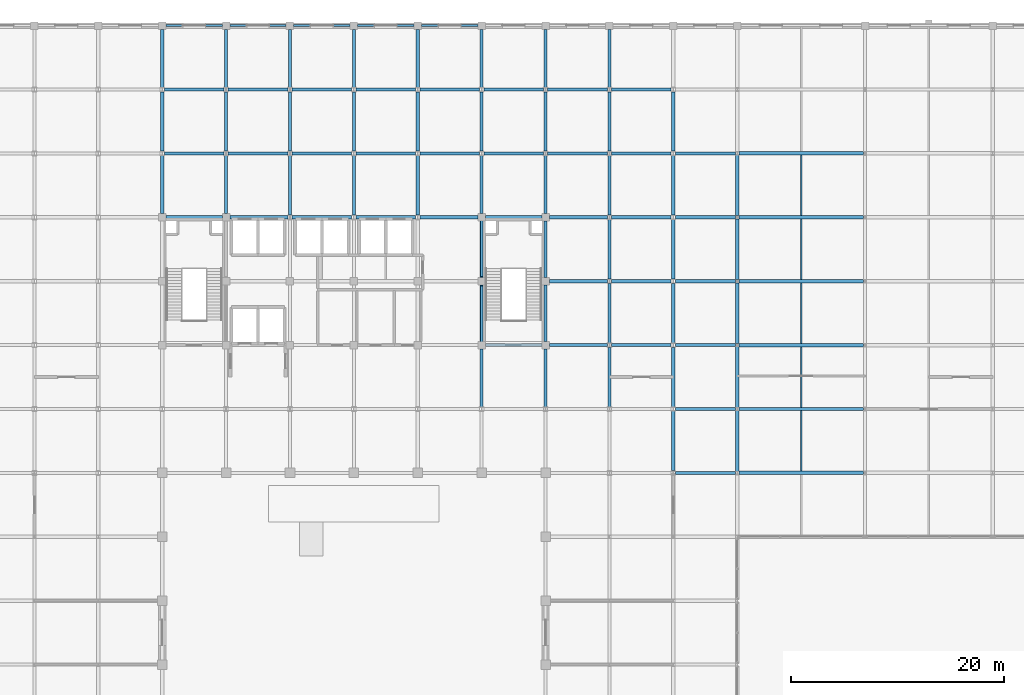
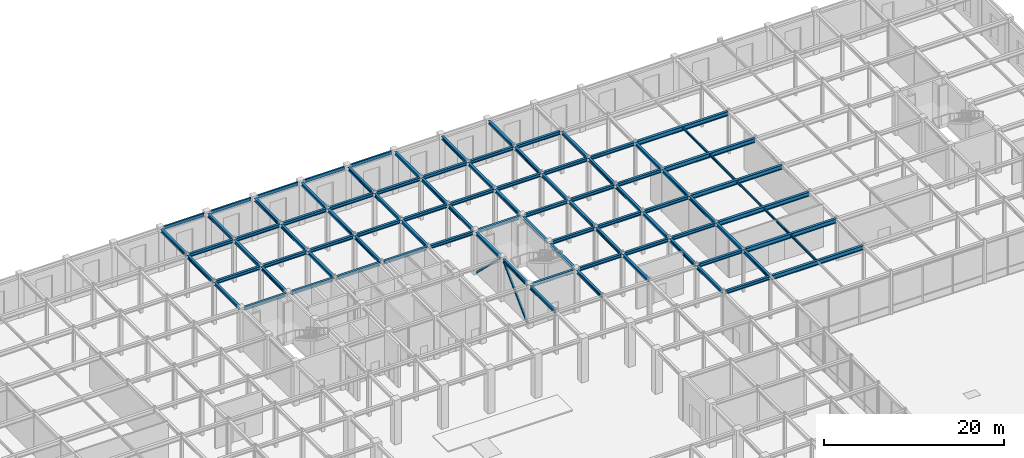
# One storey, part 78 of 108: 95 beams, 2 members.
"""IFC4 building model written with IfcOpenShell, lengths in metres."""

from ifc_helpers import new_model, si_unit, direction, frame, origin, origin_2d, place, context, subcontext, project, spatial, hollow_rectangle, i_section, extrude, material, material_profile, profile_set, type_object, element, save


model = new_model("IFC4")

# Units and contexts
model_context = context("Model", 3, precision=1e-05, world=origin(), true_north=direction((0.0, 1.0)))
body_context = subcontext(model_context, "Body", "Model", "MODEL_VIEW")
ifc_project = project(units=[si_unit("LENGTHUNIT", "METRE"), si_unit("AREAUNIT", "SQUARE_METRE"), si_unit("VOLUMEUNIT", "CUBIC_METRE"), si_unit("PLANEANGLEUNIT", "RADIAN"), si_unit("MASSUNIT", "GRAM", prefix="KILO")], contexts=[model_context])

# Site, building, storey
site_placement = place(None, origin())
site = spatial("IfcSite", under=ifc_project, at=site_placement, CompositionType="ELEMENT")
building_placement = place(site_placement, origin())
building = spatial("IfcBuilding", under=site, at=building_placement, Name="Zlatovratsky Civic Hall", CompositionType="ELEMENT")
storey_placement = place(building_placement, frame((0.0, 0.0, 6.0)))
storey = spatial("IfcBuildingStorey", under=building, at=storey_placement, Name="L02", CompositionType="ELEMENT", Elevation=6.0)

# Beams
ifc_material = material(Name="Steel S355", Category="steel")
ifc_material_profile_1 = material_profile(ifc_material, i_section(OverallWidth=0.320068359375, OverallDepth=0.58203125, WebThickness=0.011962890625, FlangeThickness=0.01708984375, FilletRadius=0.02392578125, at=origin_2d()), Name="60Sh1")
ifc_profile_set_1 = profile_set([ifc_material_profile_1], Name="Steel S355")
beam_type_1 = type_object("IfcBeamType", Name="Beam_PodiumGirder_60Sh1", PredefinedType="BEAM", material=ifc_profile_set_1)
for number, where, z_axis, x_axis, name in (
    (1, (120.14990234375, 72.0, 5.468994140625), (1.0, 0.0, 0.0), (0.0, 1.0, 0.0), "BM-1902"),
    (2, (120.14990234375, 78.0, 5.468994140625), (1.0, 0.0, 0.0), (0.0, 1.0, 0.0), "BM-1924"),
    (3, (120.14990234375, 84.0, 5.468994140625), (1.0, 0.0, 0.0), (0.0, 1.0, 0.0), "BM-1946"),
    (4, (120.14990234375, 90.0, 5.468994140625), (1.0, 0.0, 0.0), (0.0, 1.0, 0.0), "BM-1965"),
    (5, (120.14990234375, 96.0, 5.468994140625), (1.0, 0.0, 0.0), (0.0, 1.0, 0.0), "BM-1986"),
    (6, (120.14990234375, 102.0, 5.468994140625), (1.0, 0.0, 0.0), (0.0, 1.0, 0.0), "BM-2008"),
):
    element("IfcBeam", number, at=place(storey_placement, frame(where, z_axis=z_axis, x_axis=x_axis)), inside=storey, type_object=beam_type_1, Name=name, PredefinedType="BEAM", context=body_context, shape_type="SweptSolid", body=[
        extrude(i_section(OverallWidth=0.320068359375, OverallDepth=0.58203125, WebThickness=0.011962890625, FlangeThickness=0.01708984375, FilletRadius=0.02392578125, at=origin_2d()), origin(), (0.0, 0.0, 1.0), 11.7001953125),
    ])
ifc_material_profile_2 = material_profile(ifc_material, i_section(OverallWidth=0.198974609375, OverallDepth=0.491943359375, WebThickness=0.0087890625, FlangeThickness=0.011962890625, FilletRadius=0.01611328125, at=origin_2d()), Name="50B1")
ifc_profile_set_2 = profile_set([ifc_material_profile_2], Name="Steel S355")
beam_type_2 = type_object("IfcBeamType", Name="Beam_Spandrel_50B1", PredefinedType="SPANDREL", material=ifc_profile_set_2)
for number, where, z_axis, x_axis, name in (
    (7, (66.35009765625, 114.0, 5.513916015625), (1.0, 0.0, 0.0), (0.0, 1.0, 0.0), "BM-2043"),
    (8, (72.35009765625, 114.0, 5.513916015625), (1.0, 0.0, 0.0), (0.0, 1.0, 0.0), "BM-2044"),
    (9, (78.35009765625, 114.0, 5.513916015625), (1.0, 0.0, 0.0), (0.0, 1.0, 0.0), "BM-2045"),
    (10, (84.35009765625, 114.0, 5.513916015625), (1.0, 0.0, 0.0), (0.0, 1.0, 0.0), "BM-2046"),
    (11, (90.35009765625, 114.0, 5.513916015625), (1.0, 0.0, 0.0), (0.0, 1.0, 0.0), "BM-2047"),
):
    element("IfcBeam", number, at=place(storey_placement, frame(where, z_axis=z_axis, x_axis=x_axis)), inside=storey, type_object=beam_type_2, Name=name, PredefinedType="SPANDREL", context=body_context, shape_type="SweptSolid", body=[
        extrude(i_section(OverallWidth=0.198974609375, OverallDepth=0.491943359375, WebThickness=0.0087890625, FlangeThickness=0.011962890625, FilletRadius=0.01611328125, at=origin_2d()), origin(), (0.0, 0.0, 1.0), 5.2998046875),
    ])
ifc_material_profile_3 = material_profile(ifc_material, i_section(OverallWidth=0.300048828125, OverallDepth=0.43994140625, WebThickness=0.010986328125, FlangeThickness=0.01806640625, FilletRadius=0.02197265625, at=origin_2d()), Name="45Sh1")
ifc_profile_set_3 = profile_set([ifc_material_profile_3], Name="Steel S355")
beam_type_3 = type_object("IfcBeamType", Name="Beam_TowerLow_45Sh1", PredefinedType="BEAM", material=ifc_profile_set_3)
for number, where, z_axis, x_axis, name in (
    (12, (114.202392578125, 72.0, 5.5400390625), (1.0, 0.0, 0.0), (0.0, 1.0, 0.0), "BM-1901"),
    (13, (114.202392578125, 78.0, 5.5400390625), (1.0, 0.0, 0.0), (0.0, 1.0, 0.0), "BM-1923"),
):
    element("IfcBeam", number, at=place(storey_placement, frame(where, z_axis=z_axis, x_axis=x_axis)), inside=storey, type_object=beam_type_3, Name=name, PredefinedType="BEAM", context=body_context, shape_type="SweptSolid", body=[
        extrude(i_section(OverallWidth=0.300048828125, OverallDepth=0.43994140625, WebThickness=0.010986328125, FlangeThickness=0.01806640625, FilletRadius=0.02197265625, at=origin_2d()), origin(), (0.0, 0.0, 1.0), 5.647705078125),
    ])
beam_1_placement = place(storey_placement, frame((96.35009765625, 84.0, 5.5400390625), z_axis=(1.0, 0.0, 0.0), x_axis=(0.0, 1.0, 0.0)))
element("IfcBeam", 14, at=beam_1_placement, inside=storey, type_object=beam_type_3, Name="BM-1942", PredefinedType="BEAM", context=body_context, shape_type="SweptSolid", body=[
    extrude(i_section(OverallWidth=0.300048828125, OverallDepth=0.43994140625, WebThickness=0.010986328125, FlangeThickness=0.01806640625, FilletRadius=0.02197265625, at=origin_2d()), origin(), (0.0, 0.0, 1.0), 5.2998046875),
])
beam_2_placement = place(storey_placement, frame((102.35009765625, 84.0, 5.5400390625), z_axis=(1.0, 0.0, 0.0), x_axis=(0.0, 1.0, 0.0)))
element("IfcBeam", 15, at=beam_2_placement, inside=storey, type_object=beam_type_3, Name="BM-1943", PredefinedType="BEAM", context=body_context, shape_type="SweptSolid", body=[
    extrude(i_section(OverallWidth=0.300048828125, OverallDepth=0.43994140625, WebThickness=0.010986328125, FlangeThickness=0.01806640625, FilletRadius=0.02197265625, at=origin_2d()), origin(), (0.0, 0.0, 1.0), 5.447509765625),
])
beam_3_placement = place(storey_placement, frame((108.202392578125, 84.0, 5.5400390625), z_axis=(1.0, 0.0, 0.0), x_axis=(0.0, 1.0, 0.0)))
element("IfcBeam", 16, at=beam_3_placement, inside=storey, type_object=beam_type_3, Name="BM-1944", PredefinedType="BEAM", context=body_context, shape_type="SweptSolid", body=[
    extrude(i_section(OverallWidth=0.300048828125, OverallDepth=0.43994140625, WebThickness=0.010986328125, FlangeThickness=0.01806640625, FilletRadius=0.02197265625, at=origin_2d()), origin(), (0.0, 0.0, 1.0), 5.59521484375),
])
beam_4_placement = place(storey_placement, frame((114.202392578125, 84.0, 5.5400390625), z_axis=(1.0, 0.0, 0.0), x_axis=(0.0, 1.0, 0.0)))
element("IfcBeam", 17, at=beam_4_placement, inside=storey, type_object=beam_type_3, Name="BM-1945", PredefinedType="BEAM", context=body_context, shape_type="SweptSolid", body=[
    extrude(i_section(OverallWidth=0.300048828125, OverallDepth=0.43994140625, WebThickness=0.010986328125, FlangeThickness=0.01806640625, FilletRadius=0.02197265625, at=origin_2d()), origin(), (0.0, 0.0, 1.0), 5.647705078125),
])
beam_5_placement = place(storey_placement, frame((102.35009765625, 90.0, 5.5400390625), z_axis=(1.0, 0.0, 0.0), x_axis=(0.0, 1.0, 0.0)))
element("IfcBeam", 18, at=beam_5_placement, inside=storey, type_object=beam_type_3, Name="BM-1962", PredefinedType="BEAM", context=body_context, shape_type="SweptSolid", body=[
    extrude(i_section(OverallWidth=0.300048828125, OverallDepth=0.43994140625, WebThickness=0.010986328125, FlangeThickness=0.01806640625, FilletRadius=0.02197265625, at=origin_2d()), origin(), (0.0, 0.0, 1.0), 5.447509765625),
])
beam_6_placement = place(storey_placement, frame((108.202392578125, 90.0, 5.5400390625), z_axis=(1.0, 0.0, 0.0), x_axis=(0.0, 1.0, 0.0)))
element("IfcBeam", 19, at=beam_6_placement, inside=storey, type_object=beam_type_3, Name="BM-1963", PredefinedType="BEAM", context=body_context, shape_type="SweptSolid", body=[
    extrude(i_section(OverallWidth=0.300048828125, OverallDepth=0.43994140625, WebThickness=0.010986328125, FlangeThickness=0.01806640625, FilletRadius=0.02197265625, at=origin_2d()), origin(), (0.0, 0.0, 1.0), 5.59521484375),
])
beam_7_placement = place(storey_placement, frame((114.202392578125, 90.0, 5.5400390625), z_axis=(1.0, 0.0, 0.0), x_axis=(0.0, 1.0, 0.0)))
element("IfcBeam", 20, at=beam_7_placement, inside=storey, type_object=beam_type_3, Name="BM-1964", PredefinedType="BEAM", context=body_context, shape_type="SweptSolid", body=[
    extrude(i_section(OverallWidth=0.300048828125, OverallDepth=0.43994140625, WebThickness=0.010986328125, FlangeThickness=0.01806640625, FilletRadius=0.02197265625, at=origin_2d()), origin(), (0.0, 0.0, 1.0), 5.647705078125),
])
beam_8_placement = place(storey_placement, frame((66.35009765625, 96.0, 5.5400390625), z_axis=(1.0, 0.0, 0.0), x_axis=(0.0, 1.0, 0.0)))
element("IfcBeam", 21, at=beam_8_placement, inside=storey, type_object=beam_type_3, Name="BM-1977", PredefinedType="BEAM", context=body_context, shape_type="SweptSolid", body=[
    extrude(i_section(OverallWidth=0.300048828125, OverallDepth=0.43994140625, WebThickness=0.010986328125, FlangeThickness=0.01806640625, FilletRadius=0.02197265625, at=origin_2d()), origin(), (0.0, 0.0, 1.0), 5.2998046875),
])
beam_9_placement = place(storey_placement, frame((72.35009765625, 96.0, 5.5400390625), z_axis=(1.0, 0.0, 0.0), x_axis=(0.0, 1.0, 0.0)))
element("IfcBeam", 22, at=beam_9_placement, inside=storey, type_object=beam_type_3, Name="BM-1978", PredefinedType="BEAM", context=body_context, shape_type="SweptSolid", body=[
    extrude(i_section(OverallWidth=0.300048828125, OverallDepth=0.43994140625, WebThickness=0.010986328125, FlangeThickness=0.01806640625, FilletRadius=0.02197265625, at=origin_2d()), origin(), (0.0, 0.0, 1.0), 5.447509765625),
])
for number, where, z_axis, x_axis, name in (
    (23, (78.202392578125, 96.0, 5.5400390625), (1.0, 0.0, 0.0), (0.0, 1.0, 0.0), "BM-1979"),
    (24, (84.202392578125, 96.0, 5.5400390625), (1.0, 0.0, 0.0), (0.0, 1.0, 0.0), "BM-1980"),
):
    element("IfcBeam", number, at=place(storey_placement, frame(where, z_axis=z_axis, x_axis=x_axis)), inside=storey, type_object=beam_type_3, Name=name, PredefinedType="BEAM", context=body_context, shape_type="SweptSolid", body=[
        extrude(i_section(OverallWidth=0.300048828125, OverallDepth=0.43994140625, WebThickness=0.010986328125, FlangeThickness=0.01806640625, FilletRadius=0.02197265625, at=origin_2d()), origin(), (0.0, 0.0, 1.0), 5.59521484375),
    ])
beam_10_placement = place(storey_placement, frame((90.202392578125, 96.0, 5.5400390625), z_axis=(1.0, 0.0, 0.0), x_axis=(0.0, 1.0, 0.0)))
element("IfcBeam", 25, at=beam_10_placement, inside=storey, type_object=beam_type_3, Name="BM-1981", PredefinedType="BEAM", context=body_context, shape_type="SweptSolid", body=[
    extrude(i_section(OverallWidth=0.300048828125, OverallDepth=0.43994140625, WebThickness=0.010986328125, FlangeThickness=0.01806640625, FilletRadius=0.02197265625, at=origin_2d()), origin(), (0.0, 0.0, 1.0), 5.447509765625),
])
beam_11_placement = place(storey_placement, frame((96.35009765625, 96.0, 5.5400390625), z_axis=(1.0, 0.0, 0.0), x_axis=(0.0, 1.0, 0.0)))
element("IfcBeam", 26, at=beam_11_placement, inside=storey, type_object=beam_type_3, Name="BM-1982", PredefinedType="BEAM", context=body_context, shape_type="SweptSolid", body=[
    extrude(i_section(OverallWidth=0.300048828125, OverallDepth=0.43994140625, WebThickness=0.010986328125, FlangeThickness=0.01806640625, FilletRadius=0.02197265625, at=origin_2d()), origin(), (0.0, 0.0, 1.0), 5.2998046875),
])
beam_12_placement = place(storey_placement, frame((102.35009765625, 96.0, 5.5400390625), z_axis=(1.0, 0.0, 0.0), x_axis=(0.0, 1.0, 0.0)))
element("IfcBeam", 27, at=beam_12_placement, inside=storey, type_object=beam_type_3, Name="BM-1983", PredefinedType="BEAM", context=body_context, shape_type="SweptSolid", body=[
    extrude(i_section(OverallWidth=0.300048828125, OverallDepth=0.43994140625, WebThickness=0.010986328125, FlangeThickness=0.01806640625, FilletRadius=0.02197265625, at=origin_2d()), origin(), (0.0, 0.0, 1.0), 5.447509765625),
])
beam_13_placement = place(storey_placement, frame((108.202392578125, 96.0, 5.5400390625), z_axis=(1.0, 0.0, 0.0), x_axis=(0.0, 1.0, 0.0)))
element("IfcBeam", 28, at=beam_13_placement, inside=storey, type_object=beam_type_3, Name="BM-1984", PredefinedType="BEAM", context=body_context, shape_type="SweptSolid", body=[
    extrude(i_section(OverallWidth=0.300048828125, OverallDepth=0.43994140625, WebThickness=0.010986328125, FlangeThickness=0.01806640625, FilletRadius=0.02197265625, at=origin_2d()), origin(), (0.0, 0.0, 1.0), 5.59521484375),
])
beam_14_placement = place(storey_placement, frame((114.202392578125, 96.0, 5.5400390625), z_axis=(1.0, 0.0, 0.0), x_axis=(0.0, 1.0, 0.0)))
element("IfcBeam", 29, at=beam_14_placement, inside=storey, type_object=beam_type_3, Name="BM-1985", PredefinedType="BEAM", context=body_context, shape_type="SweptSolid", body=[
    extrude(i_section(OverallWidth=0.300048828125, OverallDepth=0.43994140625, WebThickness=0.010986328125, FlangeThickness=0.01806640625, FilletRadius=0.02197265625, at=origin_2d()), origin(), (0.0, 0.0, 1.0), 5.647705078125),
])
for number, where, z_axis, x_axis, name in (
    (30, (66.202392578125, 102.0, 5.5400390625), (1.0, 0.0, 0.0), (0.0, 1.0, 0.0), "BM-1999"),
    (31, (72.202392578125, 102.0, 5.5400390625), (1.0, 0.0, 0.0), (0.0, 1.0, 0.0), "BM-2000"),
    (32, (78.202392578125, 102.0, 5.5400390625), (1.0, 0.0, 0.0), (0.0, 1.0, 0.0), "BM-2001"),
    (33, (84.202392578125, 102.0, 5.5400390625), (1.0, 0.0, 0.0), (0.0, 1.0, 0.0), "BM-2002"),
    (34, (90.202392578125, 102.0, 5.5400390625), (1.0, 0.0, 0.0), (0.0, 1.0, 0.0), "BM-2003"),
    (35, (96.202392578125, 102.0, 5.5400390625), (1.0, 0.0, 0.0), (0.0, 1.0, 0.0), "BM-2004"),
    (36, (102.202392578125, 102.0, 5.5400390625), (1.0, 0.0, 0.0), (0.0, 1.0, 0.0), "BM-2005"),
    (37, (108.202392578125, 102.0, 5.5400390625), (1.0, 0.0, 0.0), (0.0, 1.0, 0.0), "BM-2006"),
):
    element("IfcBeam", number, at=place(storey_placement, frame(where, z_axis=z_axis, x_axis=x_axis)), inside=storey, type_object=beam_type_3, Name=name, PredefinedType="BEAM", context=body_context, shape_type="SweptSolid", body=[
        extrude(i_section(OverallWidth=0.300048828125, OverallDepth=0.43994140625, WebThickness=0.010986328125, FlangeThickness=0.01806640625, FilletRadius=0.02197265625, at=origin_2d()), origin(), (0.0, 0.0, 1.0), 5.59521484375),
    ])
beam_15_placement = place(storey_placement, frame((114.202392578125, 102.0, 5.5400390625), z_axis=(1.0, 0.0, 0.0), x_axis=(0.0, 1.0, 0.0)))
element("IfcBeam", 38, at=beam_15_placement, inside=storey, type_object=beam_type_3, Name="BM-2007", PredefinedType="BEAM", context=body_context, shape_type="SweptSolid", body=[
    extrude(i_section(OverallWidth=0.300048828125, OverallDepth=0.43994140625, WebThickness=0.010986328125, FlangeThickness=0.01806640625, FilletRadius=0.02197265625, at=origin_2d()), origin(), (0.0, 0.0, 1.0), 5.647705078125),
])
for number, where, z_axis, x_axis, name in (
    (39, (66.202392578125, 108.0, 5.5400390625), (1.0, 0.0, 0.0), (0.0, 1.0, 0.0), "BM-2021"),
    (40, (72.202392578125, 108.0, 5.5400390625), (1.0, 0.0, 0.0), (0.0, 1.0, 0.0), "BM-2022"),
    (41, (78.202392578125, 108.0, 5.5400390625), (1.0, 0.0, 0.0), (0.0, 1.0, 0.0), "BM-2023"),
    (42, (84.202392578125, 108.0, 5.5400390625), (1.0, 0.0, 0.0), (0.0, 1.0, 0.0), "BM-2024"),
    (43, (90.202392578125, 108.0, 5.5400390625), (1.0, 0.0, 0.0), (0.0, 1.0, 0.0), "BM-2025"),
    (44, (96.202392578125, 108.0, 5.5400390625), (1.0, 0.0, 0.0), (0.0, 1.0, 0.0), "BM-2026"),
    (45, (102.202392578125, 108.0, 5.5400390625), (1.0, 0.0, 0.0), (0.0, 1.0, 0.0), "BM-2027"),
    (46, (108.202392578125, 108.0, 5.5400390625), (1.0, 0.0, 0.0), (0.0, 1.0, 0.0), "BM-2028"),
):
    element("IfcBeam", number, at=place(storey_placement, frame(where, z_axis=z_axis, x_axis=x_axis)), inside=storey, type_object=beam_type_3, Name=name, PredefinedType="BEAM", context=body_context, shape_type="SweptSolid", body=[
        extrude(i_section(OverallWidth=0.300048828125, OverallDepth=0.43994140625, WebThickness=0.010986328125, FlangeThickness=0.01806640625, FilletRadius=0.02197265625, at=origin_2d()), origin(), (0.0, 0.0, 1.0), 5.59521484375),
    ])
beam_16_placement = place(storey_placement, frame((66.0, 96.35009765625, 5.5400390625), z_axis=(0.0, 1.0, 0.0), x_axis=(-1.0, 0.0, 0.0)))
element("IfcBeam", 47, at=beam_16_placement, inside=storey, type_object=beam_type_3, Name="BM-2193", PredefinedType="BEAM", context=body_context, shape_type="SweptSolid", body=[
    extrude(i_section(OverallWidth=0.300048828125, OverallDepth=0.43994140625, WebThickness=0.010986328125, FlangeThickness=0.01806640625, FilletRadius=0.02197265625, at=origin_2d()), origin(), (0.0, 0.0, 1.0), 5.44091796875),
])
beam_17_placement = place(storey_placement, frame((66.0, 102.208984375, 5.5400390625), z_axis=(0.0, 1.0, 0.0), x_axis=(-1.0, 0.0, 0.0)))
element("IfcBeam", 48, at=beam_17_placement, inside=storey, type_object=beam_type_3, Name="BM-2194", PredefinedType="BEAM", context=body_context, shape_type="SweptSolid", body=[
    extrude(i_section(OverallWidth=0.300048828125, OverallDepth=0.43994140625, WebThickness=0.010986328125, FlangeThickness=0.01806640625, FilletRadius=0.02197265625, at=origin_2d()), origin(), (0.0, 0.0, 1.0), 5.58203125),
])
for number, where, z_axis, x_axis, name in (
    (49, (66.0, 108.208984375, 5.5400390625), (0.0, 1.0, 0.0), (-1.0, 0.0, 0.0), "BM-2195"),
    (50, (72.0, 96.35009765625, 5.5400390625), (0.0, 1.0, 0.0), (-1.0, 0.0, 0.0), "BM-2205"),
):
    element("IfcBeam", number, at=place(storey_placement, frame(where, z_axis=z_axis, x_axis=x_axis)), inside=storey, type_object=beam_type_3, Name=name, PredefinedType="BEAM", context=body_context, shape_type="SweptSolid", body=[
        extrude(i_section(OverallWidth=0.300048828125, OverallDepth=0.43994140625, WebThickness=0.010986328125, FlangeThickness=0.01806640625, FilletRadius=0.02197265625, at=origin_2d()), origin(), (0.0, 0.0, 1.0), 5.44091796875),
    ])
beam_18_placement = place(storey_placement, frame((72.0, 102.208984375, 5.5400390625), z_axis=(0.0, 1.0, 0.0), x_axis=(-1.0, 0.0, 0.0)))
element("IfcBeam", 51, at=beam_18_placement, inside=storey, type_object=beam_type_3, Name="BM-2206", PredefinedType="BEAM", context=body_context, shape_type="SweptSolid", body=[
    extrude(i_section(OverallWidth=0.300048828125, OverallDepth=0.43994140625, WebThickness=0.010986328125, FlangeThickness=0.01806640625, FilletRadius=0.02197265625, at=origin_2d()), origin(), (0.0, 0.0, 1.0), 5.58203125),
])
beam_19_placement = place(storey_placement, frame((72.0, 108.208984375, 5.5400390625), z_axis=(0.0, 1.0, 0.0), x_axis=(-1.0, 0.0, 0.0)))
element("IfcBeam", 52, at=beam_19_placement, inside=storey, type_object=beam_type_3, Name="BM-2207", PredefinedType="BEAM", context=body_context, shape_type="SweptSolid", body=[
    extrude(i_section(OverallWidth=0.300048828125, OverallDepth=0.43994140625, WebThickness=0.010986328125, FlangeThickness=0.01806640625, FilletRadius=0.02197265625, at=origin_2d()), origin(), (0.0, 0.0, 1.0), 5.44091796875),
])
for number, where, z_axis, x_axis, name in (
    (53, (78.0, 96.208984375, 5.5400390625), (0.0, 1.0, 0.0), (-1.0, 0.0, 0.0), "BM-2215"),
    (54, (78.0, 102.208984375, 5.5400390625), (0.0, 1.0, 0.0), (-1.0, 0.0, 0.0), "BM-2216"),
):
    element("IfcBeam", number, at=place(storey_placement, frame(where, z_axis=z_axis, x_axis=x_axis)), inside=storey, type_object=beam_type_3, Name=name, PredefinedType="BEAM", context=body_context, shape_type="SweptSolid", body=[
        extrude(i_section(OverallWidth=0.300048828125, OverallDepth=0.43994140625, WebThickness=0.010986328125, FlangeThickness=0.01806640625, FilletRadius=0.02197265625, at=origin_2d()), origin(), (0.0, 0.0, 1.0), 5.58203125),
    ])
beam_20_placement = place(storey_placement, frame((78.0, 108.208984375, 5.5400390625), z_axis=(0.0, 1.0, 0.0), x_axis=(-1.0, 0.0, 0.0)))
element("IfcBeam", 55, at=beam_20_placement, inside=storey, type_object=beam_type_3, Name="BM-2217", PredefinedType="BEAM", context=body_context, shape_type="SweptSolid", body=[
    extrude(i_section(OverallWidth=0.300048828125, OverallDepth=0.43994140625, WebThickness=0.010986328125, FlangeThickness=0.01806640625, FilletRadius=0.02197265625, at=origin_2d()), origin(), (0.0, 0.0, 1.0), 5.44091796875),
])
for number, where, z_axis, x_axis, name in (
    (56, (84.0, 96.208984375, 5.5400390625), (0.0, 1.0, 0.0), (-1.0, 0.0, 0.0), "BM-2225"),
    (57, (84.0, 102.208984375, 5.5400390625), (0.0, 1.0, 0.0), (-1.0, 0.0, 0.0), "BM-2226"),
):
    element("IfcBeam", number, at=place(storey_placement, frame(where, z_axis=z_axis, x_axis=x_axis)), inside=storey, type_object=beam_type_3, Name=name, PredefinedType="BEAM", context=body_context, shape_type="SweptSolid", body=[
        extrude(i_section(OverallWidth=0.300048828125, OverallDepth=0.43994140625, WebThickness=0.010986328125, FlangeThickness=0.01806640625, FilletRadius=0.02197265625, at=origin_2d()), origin(), (0.0, 0.0, 1.0), 5.58203125),
    ])
beam_21_placement = place(storey_placement, frame((84.0, 108.208984375, 5.5400390625), z_axis=(0.0, 1.0, 0.0), x_axis=(-1.0, 0.0, 0.0)))
element("IfcBeam", 58, at=beam_21_placement, inside=storey, type_object=beam_type_3, Name="BM-2227", PredefinedType="BEAM", context=body_context, shape_type="SweptSolid", body=[
    extrude(i_section(OverallWidth=0.300048828125, OverallDepth=0.43994140625, WebThickness=0.010986328125, FlangeThickness=0.01806640625, FilletRadius=0.02197265625, at=origin_2d()), origin(), (0.0, 0.0, 1.0), 5.44091796875),
])
for number, where, z_axis, x_axis, name in (
    (59, (90.0, 96.208984375, 5.5400390625), (0.0, 1.0, 0.0), (-1.0, 0.0, 0.0), "BM-2235"),
    (60, (90.0, 102.208984375, 5.5400390625), (0.0, 1.0, 0.0), (-1.0, 0.0, 0.0), "BM-2236"),
):
    element("IfcBeam", number, at=place(storey_placement, frame(where, z_axis=z_axis, x_axis=x_axis)), inside=storey, type_object=beam_type_3, Name=name, PredefinedType="BEAM", context=body_context, shape_type="SweptSolid", body=[
        extrude(i_section(OverallWidth=0.300048828125, OverallDepth=0.43994140625, WebThickness=0.010986328125, FlangeThickness=0.01806640625, FilletRadius=0.02197265625, at=origin_2d()), origin(), (0.0, 0.0, 1.0), 5.58203125),
    ])
for number, where, z_axis, x_axis, name in (
    (61, (90.0, 108.208984375, 5.5400390625), (0.0, 1.0, 0.0), (-1.0, 0.0, 0.0), "BM-2237"),
    (62, (96.0, 78.208984375, 5.5400390625), (0.0, 1.0, 0.0), (-1.0, 0.0, 0.0), "BM-2244"),
):
    element("IfcBeam", number, at=place(storey_placement, frame(where, z_axis=z_axis, x_axis=x_axis)), inside=storey, type_object=beam_type_3, Name=name, PredefinedType="BEAM", context=body_context, shape_type="SweptSolid", body=[
        extrude(i_section(OverallWidth=0.300048828125, OverallDepth=0.43994140625, WebThickness=0.010986328125, FlangeThickness=0.01806640625, FilletRadius=0.02197265625, at=origin_2d()), origin(), (0.0, 0.0, 1.0), 5.44091796875),
    ])
for number, where, z_axis, x_axis, name in (
    (63, (96.0, 84.35009765625, 5.5400390625), (0.0, 1.0, 0.0), (-1.0, 0.0, 0.0), "BM-2245"),
    (64, (96.0, 90.35009765625, 5.5400390625), (0.0, 1.0, 0.0), (-1.0, 0.0, 0.0), "BM-2246"),
):
    element("IfcBeam", number, at=place(storey_placement, frame(where, z_axis=z_axis, x_axis=x_axis)), inside=storey, type_object=beam_type_3, Name=name, PredefinedType="BEAM", context=body_context, shape_type="SweptSolid", body=[
        extrude(i_section(OverallWidth=0.300048828125, OverallDepth=0.43994140625, WebThickness=0.010986328125, FlangeThickness=0.01806640625, FilletRadius=0.02197265625, at=origin_2d()), origin(), (0.0, 0.0, 1.0), 5.2998046875),
    ])
beam_22_placement = place(storey_placement, frame((96.0, 96.35009765625, 5.5400390625), z_axis=(0.0, 1.0, 0.0), x_axis=(-1.0, 0.0, 0.0)))
element("IfcBeam", 65, at=beam_22_placement, inside=storey, type_object=beam_type_3, Name="BM-2247", PredefinedType="BEAM", context=body_context, shape_type="SweptSolid", body=[
    extrude(i_section(OverallWidth=0.300048828125, OverallDepth=0.43994140625, WebThickness=0.010986328125, FlangeThickness=0.01806640625, FilletRadius=0.02197265625, at=origin_2d()), origin(), (0.0, 0.0, 1.0), 5.44091796875),
])
beam_23_placement = place(storey_placement, frame((96.0, 102.208984375, 5.5400390625), z_axis=(0.0, 1.0, 0.0), x_axis=(-1.0, 0.0, 0.0)))
element("IfcBeam", 66, at=beam_23_placement, inside=storey, type_object=beam_type_3, Name="BM-2248", PredefinedType="BEAM", context=body_context, shape_type="SweptSolid", body=[
    extrude(i_section(OverallWidth=0.300048828125, OverallDepth=0.43994140625, WebThickness=0.010986328125, FlangeThickness=0.01806640625, FilletRadius=0.02197265625, at=origin_2d()), origin(), (0.0, 0.0, 1.0), 5.58203125),
])
for number, where, z_axis, x_axis, name in (
    (67, (96.0, 108.208984375, 5.5400390625), (0.0, 1.0, 0.0), (-1.0, 0.0, 0.0), "BM-2249"),
    (68, (102.0, 78.208984375, 5.5400390625), (0.0, 1.0, 0.0), (-1.0, 0.0, 0.0), "BM-2260"),
):
    element("IfcBeam", number, at=place(storey_placement, frame(where, z_axis=z_axis, x_axis=x_axis)), inside=storey, type_object=beam_type_3, Name=name, PredefinedType="BEAM", context=body_context, shape_type="SweptSolid", body=[
        extrude(i_section(OverallWidth=0.300048828125, OverallDepth=0.43994140625, WebThickness=0.010986328125, FlangeThickness=0.01806640625, FilletRadius=0.02197265625, at=origin_2d()), origin(), (0.0, 0.0, 1.0), 5.44091796875),
    ])
for number, where, z_axis, x_axis, name in (
    (69, (102.0, 84.35009765625, 5.5400390625), (0.0, 1.0, 0.0), (-1.0, 0.0, 0.0), "BM-2261"),
    (70, (102.0, 90.35009765625, 5.5400390625), (0.0, 1.0, 0.0), (-1.0, 0.0, 0.0), "BM-2262"),
):
    element("IfcBeam", number, at=place(storey_placement, frame(where, z_axis=z_axis, x_axis=x_axis)), inside=storey, type_object=beam_type_3, Name=name, PredefinedType="BEAM", context=body_context, shape_type="SweptSolid", body=[
        extrude(i_section(OverallWidth=0.300048828125, OverallDepth=0.43994140625, WebThickness=0.010986328125, FlangeThickness=0.01806640625, FilletRadius=0.02197265625, at=origin_2d()), origin(), (0.0, 0.0, 1.0), 5.2998046875),
    ])
beam_24_placement = place(storey_placement, frame((102.0, 96.35009765625, 5.5400390625), z_axis=(0.0, 1.0, 0.0), x_axis=(-1.0, 0.0, 0.0)))
element("IfcBeam", 71, at=beam_24_placement, inside=storey, type_object=beam_type_3, Name="BM-2263", PredefinedType="BEAM", context=body_context, shape_type="SweptSolid", body=[
    extrude(i_section(OverallWidth=0.300048828125, OverallDepth=0.43994140625, WebThickness=0.010986328125, FlangeThickness=0.01806640625, FilletRadius=0.02197265625, at=origin_2d()), origin(), (0.0, 0.0, 1.0), 5.44091796875),
])
beam_25_placement = place(storey_placement, frame((102.0, 102.208984375, 5.5400390625), z_axis=(0.0, 1.0, 0.0), x_axis=(-1.0, 0.0, 0.0)))
element("IfcBeam", 72, at=beam_25_placement, inside=storey, type_object=beam_type_3, Name="BM-2264", PredefinedType="BEAM", context=body_context, shape_type="SweptSolid", body=[
    extrude(i_section(OverallWidth=0.300048828125, OverallDepth=0.43994140625, WebThickness=0.010986328125, FlangeThickness=0.01806640625, FilletRadius=0.02197265625, at=origin_2d()), origin(), (0.0, 0.0, 1.0), 5.58203125),
])
beam_26_placement = place(storey_placement, frame((102.0, 108.208984375, 5.5400390625), z_axis=(0.0, 1.0, 0.0), x_axis=(-1.0, 0.0, 0.0)))
element("IfcBeam", 73, at=beam_26_placement, inside=storey, type_object=beam_type_3, Name="BM-2265", PredefinedType="BEAM", context=body_context, shape_type="SweptSolid", body=[
    extrude(i_section(OverallWidth=0.300048828125, OverallDepth=0.43994140625, WebThickness=0.010986328125, FlangeThickness=0.01806640625, FilletRadius=0.02197265625, at=origin_2d()), origin(), (0.0, 0.0, 1.0), 5.44091796875),
])
for number, where, z_axis, x_axis, name in (
    (74, (108.0, 78.208984375, 5.5400390625), (0.0, 1.0, 0.0), (-1.0, 0.0, 0.0), "BM-2276"),
    (75, (108.0, 84.208984375, 5.5400390625), (0.0, 1.0, 0.0), (-1.0, 0.0, 0.0), "BM-2277"),
    (76, (108.0, 90.208984375, 5.5400390625), (0.0, 1.0, 0.0), (-1.0, 0.0, 0.0), "BM-2278"),
    (77, (108.0, 96.208984375, 5.5400390625), (0.0, 1.0, 0.0), (-1.0, 0.0, 0.0), "BM-2279"),
    (78, (108.0, 102.208984375, 5.5400390625), (0.0, 1.0, 0.0), (-1.0, 0.0, 0.0), "BM-2280"),
):
    element("IfcBeam", number, at=place(storey_placement, frame(where, z_axis=z_axis, x_axis=x_axis)), inside=storey, type_object=beam_type_3, Name=name, PredefinedType="BEAM", context=body_context, shape_type="SweptSolid", body=[
        extrude(i_section(OverallWidth=0.300048828125, OverallDepth=0.43994140625, WebThickness=0.010986328125, FlangeThickness=0.01806640625, FilletRadius=0.02197265625, at=origin_2d()), origin(), (0.0, 0.0, 1.0), 5.58203125),
    ])
beam_27_placement = place(storey_placement, frame((108.0, 108.208984375, 5.5400390625), z_axis=(0.0, 1.0, 0.0), x_axis=(-1.0, 0.0, 0.0)))
element("IfcBeam", 79, at=beam_27_placement, inside=storey, type_object=beam_type_3, Name="BM-2281", PredefinedType="BEAM", context=body_context, shape_type="SweptSolid", body=[
    extrude(i_section(OverallWidth=0.300048828125, OverallDepth=0.43994140625, WebThickness=0.010986328125, FlangeThickness=0.01806640625, FilletRadius=0.02197265625, at=origin_2d()), origin(), (0.0, 0.0, 1.0), 5.44091796875),
])
for number, where, z_axis, x_axis, name in (
    (80, (114.0, 72.208984375, 5.5400390625), (0.0, 1.0, 0.0), (-1.0, 0.0, 0.0), "BM-2292"),
    (81, (114.0, 78.208984375, 5.5400390625), (0.0, 1.0, 0.0), (-1.0, 0.0, 0.0), "BM-2293"),
    (82, (114.0, 84.208984375, 5.5400390625), (0.0, 1.0, 0.0), (-1.0, 0.0, 0.0), "BM-2294"),
    (83, (114.0, 90.208984375, 5.5400390625), (0.0, 1.0, 0.0), (-1.0, 0.0, 0.0), "BM-2295"),
    (84, (114.0, 96.208984375, 5.5400390625), (0.0, 1.0, 0.0), (-1.0, 0.0, 0.0), "BM-2296"),
    (85, (114.0, 102.208984375, 5.5400390625), (0.0, 1.0, 0.0), (-1.0, 0.0, 0.0), "BM-2297"),
):
    element("IfcBeam", number, at=place(storey_placement, frame(where, z_axis=z_axis, x_axis=x_axis)), inside=storey, type_object=beam_type_3, Name=name, PredefinedType="BEAM", context=body_context, shape_type="SweptSolid", body=[
        extrude(i_section(OverallWidth=0.300048828125, OverallDepth=0.43994140625, WebThickness=0.010986328125, FlangeThickness=0.01806640625, FilletRadius=0.02197265625, at=origin_2d()), origin(), (0.0, 0.0, 1.0), 5.58203125),
    ])
for number, where, z_axis, x_axis, name in (
    (86, (120.0, 72.14990234375, 5.5400390625), (0.0, 1.0, 0.0), (-1.0, 0.0, 0.0), "BM-2309"),
    (87, (120.0, 78.14990234375, 5.5400390625), (0.0, 1.0, 0.0), (-1.0, 0.0, 0.0), "BM-2310"),
    (88, (120.0, 84.14990234375, 5.5400390625), (0.0, 1.0, 0.0), (-1.0, 0.0, 0.0), "BM-2311"),
    (89, (120.0, 90.14990234375, 5.5400390625), (0.0, 1.0, 0.0), (-1.0, 0.0, 0.0), "BM-2312"),
    (90, (120.0, 96.14990234375, 5.5400390625), (0.0, 1.0, 0.0), (-1.0, 0.0, 0.0), "BM-2313"),
):
    element("IfcBeam", number, at=place(storey_placement, frame(where, z_axis=z_axis, x_axis=x_axis)), inside=storey, type_object=beam_type_3, Name=name, PredefinedType="BEAM", context=body_context, shape_type="SweptSolid", body=[
        extrude(i_section(OverallWidth=0.300048828125, OverallDepth=0.43994140625, WebThickness=0.010986328125, FlangeThickness=0.01806640625, FilletRadius=0.02197265625, at=origin_2d()), origin(), (0.0, 0.0, 1.0), 5.7001953125),
    ])

# Members
ifc_material_profile_4 = material_profile(ifc_material, hollow_rectangle(XDim=0.219970703125, YDim=0.219970703125, WallThickness=0.010009765625, at=origin_2d()), Name="SHS 220x220x10")
ifc_profile_set_4 = profile_set([ifc_material_profile_4], Name="Steel S355")
member_type = type_object("IfcMemberType", Name="Brace_Podium_SHS220", PredefinedType="BRACE", material=ifc_profile_set_4)
for number, where, z_axis, x_axis, name in (
    (91, (96.0, 84.35009765625, 0.25), (0.0, 0.713799145226, 0.700350469604), (-1.0, 0.0, 0.0), "MB-0102"),
    (92, (96.0, 90.35009765625, 5.449951171875), (0.0, 0.713799145226, -0.700350469604), (-1.0, 0.0, 0.0), "MB-0103"),
):
    element("IfcMember", number, at=place(storey_placement, frame(where, z_axis=z_axis, x_axis=x_axis)), inside=storey, type_object=member_type, Name=name, PredefinedType="BRACE", context=body_context, shape_type="SweptSolid", body=[
        extrude(hollow_rectangle(XDim=0.219970703125, YDim=0.219970703125, WallThickness=0.010009765625, at=origin_2d()), origin(), (0.0, 0.0, 1.0), 7.4248046875),
    ])

# Beams
ifc_material_profile_5 = material_profile(ifc_material, i_section(OverallWidth=0.14990234375, OverallDepth=0.300048828125, WebThickness=0.006591796875, FlangeThickness=0.009033203125, FilletRadius=0.012939453125, at=origin_2d()), Name="30B2")
ifc_profile_set_5 = profile_set([ifc_material_profile_5], Name="Steel S355")
beam_type_4 = type_object("IfcBeamType", Name="Joist_Podium_30B2", PredefinedType="JOIST", material=ifc_profile_set_5)
for number, where, z_axis, x_axis, name in (
    (93, (126.0, 72.159912109375, 5.610107421875), (0.0, 1.0, 0.0), (-1.0, 0.0, 0.0), "BM-2428"),
    (94, (126.0, 78.159912109375, 5.610107421875), (0.0, 1.0, 0.0), (-1.0, 0.0, 0.0), "BM-2434"),
    (95, (126.0, 84.159912109375, 5.610107421875), (0.0, 1.0, 0.0), (-1.0, 0.0, 0.0), "BM-2440"),
    (96, (126.0, 90.159912109375, 5.610107421875), (0.0, 1.0, 0.0), (-1.0, 0.0, 0.0), "BM-2448"),
    (97, (126.0, 96.159912109375, 5.610107421875), (0.0, 1.0, 0.0), (-1.0, 0.0, 0.0), "BM-2454"),
):
    element("IfcBeam", number, at=place(storey_placement, frame(where, z_axis=z_axis, x_axis=x_axis)), inside=storey, type_object=beam_type_4, Name=name, PredefinedType="JOIST", context=body_context, shape_type="SweptSolid", body=[
        extrude(i_section(OverallWidth=0.14990234375, OverallDepth=0.300048828125, WebThickness=0.006591796875, FlangeThickness=0.009033203125, FilletRadius=0.012939453125, at=origin_2d()), origin(), (0.0, 0.0, 1.0), 5.68017578125),
    ])

save(model, "model.ifc")
